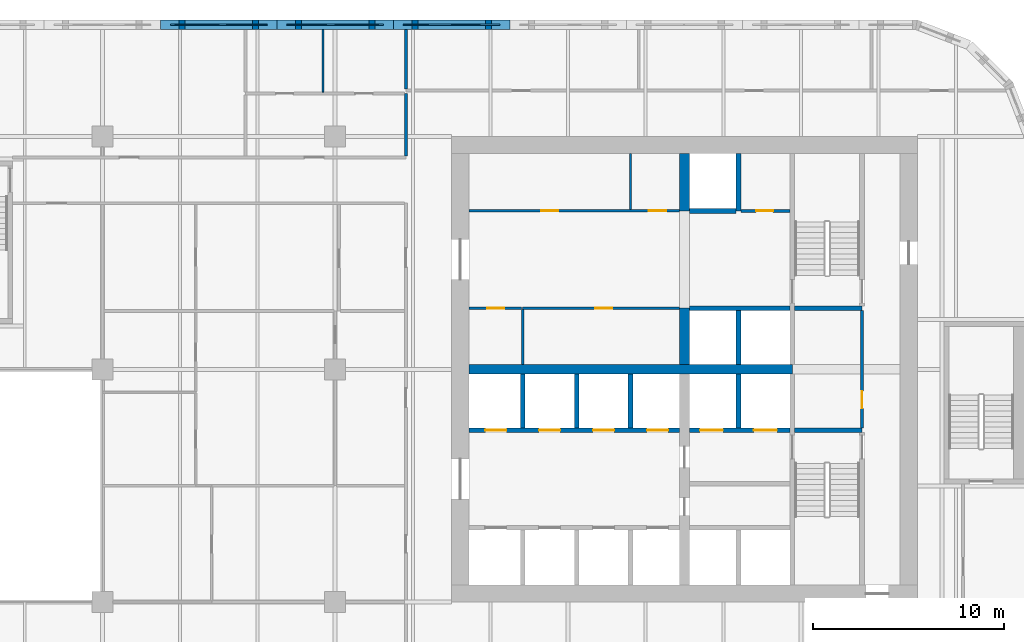
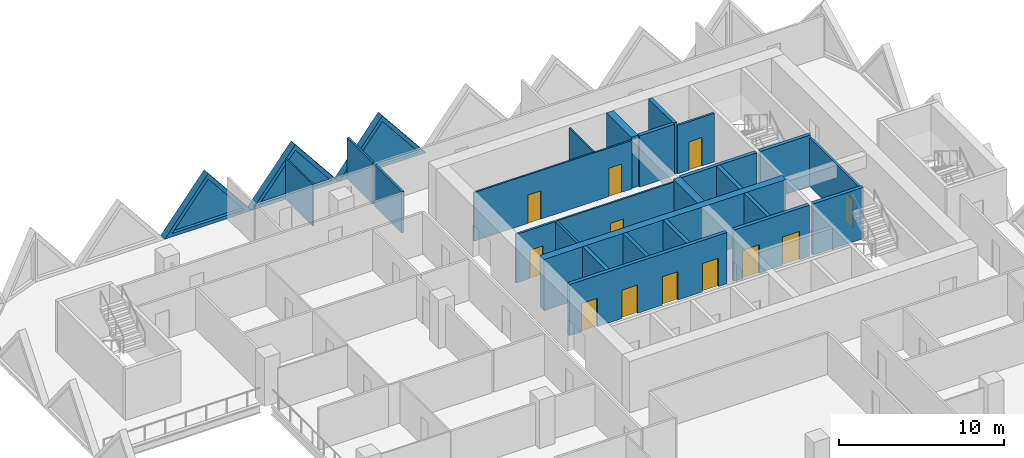
# One storey, part 9 of 19: 28 walls, 12 doors, 3 plates, 15 openings.
"""IFC4 building model written with IfcOpenShell, lengths in metres."""

import ifcopenshell
import ifcopenshell.guid

model = None  # the IFC model being written
_history = None  # IfcOwnerHistory: only IFC2X3 demands one
_inside = {}  # id of a spatial element -> (the spatial element, [elements in it])
_under = {}  # id of a project, library or spatial element -> (it, [spatial elements below it])
_declared = {}  # id of a project -> (the project, [libraries it declares])
_typed = {}  # id of a type object -> (the type object, [elements of that type])
_made_of = {}  # id of a material, layer set ... -> (it, [elements and type objects made of it])


def new_model(schema):
    """Start an empty IFC model of exactly this schema.

    Asked for "IFC4X3", IfcOpenShell would pick the latest addendum, in which some entities
    have other attributes; the version numbers below select the first issue.
    IFC2X3 requires an IfcOwnerHistory on every rooted entity: one is made here for all.
    """
    global model, _history
    if schema == "IFC4X3":
        model = ifcopenshell.file(schema_version=(4, 3, 0, 0))
    else:
        model = ifcopenshell.file(schema=schema)
    _inside.clear()
    _under.clear()
    _declared.clear()
    _typed.clear()
    _made_of.clear()
    _history = None
    if model.schema == "IFC2X3":
        org = make("IfcOrganization", Name="unknown")
        user = make(
            "IfcPersonAndOrganization",
            ThePerson=make("IfcPerson", FamilyName="unknown"),
            TheOrganization=org,
        )
        app = make(
            "IfcApplication",
            ApplicationDeveloper=org,
            Version="unknown",
            ApplicationFullName="unknown",
            ApplicationIdentifier="unknown",
        )
        _history = make(
            "IfcOwnerHistory",
            OwningUser=user,
            OwningApplication=app,
            ChangeAction="ADDED",
            CreationDate=0,
        )
    return model


def make(cls, **values):
    """One entity of the class cls with the attributes given. An attribute that is None is left unset."""
    return model.create_entity(
        cls, **{name: value for name, value in values.items() if value is not None}
    )


def rooted(cls, **values):
    """An entity with a GlobalId (a new one), such as an element, a storey or a relation."""
    return make(cls, GlobalId=ifcopenshell.guid.new(), OwnerHistory=_history, **values)


def si_unit(unit_type, name, prefix=None):
    """IfcSIUnit, for example si_unit("LENGTHUNIT", "METRE", prefix="MILLI")."""
    return make("IfcSIUnit", UnitType=unit_type, Prefix=prefix, Name=name)


def assignment(units):
    """IfcUnitAssignment: the units of a project."""
    return None if units is None else make("IfcUnitAssignment", Units=units)


def point(xyz):
    """IfcCartesianPoint."""
    return None if xyz is None else make("IfcCartesianPoint", Coordinates=xyz)


def direction(xyz):
    """IfcDirection."""
    return None if xyz is None else make("IfcDirection", DirectionRatios=xyz)


def frame(location, z_axis=None, x_axis=None):
    """IfcAxis2Placement3D, a coordinate frame: its origin and axes. An axis left out is left unset."""
    return make(
        "IfcAxis2Placement3D",
        Location=point(location),
        Axis=direction(z_axis),
        RefDirection=direction(x_axis),
    )


def frame_2d(location, x_axis=None):
    """IfcAxis2Placement2D, a coordinate frame in the plane: its origin and x axis."""
    return make(
        "IfcAxis2Placement2D", Location=point(location), RefDirection=direction(x_axis)
    )


def origin():
    """The frame at (0, 0, 0) with its axes left unset."""
    return frame((0.0, 0.0, 0.0))


def place(relative_to, where):
    """IfcLocalPlacement: puts the frame where relative to a parent placement (None: the world)."""
    return make(
        "IfcLocalPlacement", PlacementRelTo=relative_to, RelativePlacement=where
    )


def context(
    kind, dimensions, precision=None, world=None, true_north=None, identifier=None
):
    """IfcGeometricRepresentationContext, for example the 3D "Model" context."""
    return make(
        "IfcGeometricRepresentationContext",
        ContextIdentifier=identifier,
        ContextType=kind,
        CoordinateSpaceDimension=dimensions,
        Precision=precision,
        WorldCoordinateSystem=world,
        TrueNorth=true_north,
    )


def subcontext(parent, identifier, kind, view, scale=None):
    """IfcGeometricRepresentationSubContext, for example "Body" below "Model"."""
    return make(
        "IfcGeometricRepresentationSubContext",
        ContextIdentifier=identifier,
        ContextType=kind,
        ParentContext=parent,
        TargetScale=scale,
        TargetView=view,
    )


def project(units=None, contexts=None):
    """IfcProject with its units and contexts."""
    return rooted(
        "IfcProject",
        Name="project",
        RepresentationContexts=contexts,
        UnitsInContext=assignment(units),
    )


def spatial(cls, under=None, at=None, **own):
    """A site, building, storey or space (cls), placed at a placement, below another one or the project."""
    s = rooted(cls, ObjectPlacement=at, **own)
    if under is not None:
        _under.setdefault(under.id(), (under, []))[1].append(s)
    return s


def polyline(points):
    """IfcPolyline through the points."""
    return make("IfcPolyline", Points=[point(p) for p in points])


def profile(cls, at=None, kind="AREA", **sizes):
    """A parametric profile (cls). Its sizes go by their IFC names, for example OverallWidth=200.0."""
    return make(cls, ProfileType=kind, Position=at, **sizes)


def rectangle(**sizes):
    """IfcRectangleProfileDef."""
    return profile("IfcRectangleProfileDef", **sizes)


def outline(outer, holes=None, kind="AREA"):
    """IfcArbitraryClosedProfileDef: a profile drawn as a closed curve; with holes, ...WithVoids."""
    if holes is None:
        return make("IfcArbitraryClosedProfileDef", ProfileType=kind, OuterCurve=outer)
    return make(
        "IfcArbitraryProfileDefWithVoids",
        ProfileType=kind,
        OuterCurve=outer,
        InnerCurves=holes,
    )


def extrude(swept, where, along, depth):
    """IfcExtrudedAreaSolid: the profile swept, set in the frame where, extruded along a direction by depth."""
    return make(
        "IfcExtrudedAreaSolid",
        SweptArea=swept,
        Position=where,
        ExtrudedDirection=direction(along),
        Depth=depth,
    )


def faces_of(points, faces, orient=None, outer=None):
    """IfcFace entities. A face is a list of loops; a loop is a list of indices into points, from 0.

    orient and outer hold one flag for each loop. By default every Orientation is true, the
    first loop of a face is its IfcFaceOuterBound and the others are IfcFaceBound.
    """
    made = []
    for i, loops in enumerate(faces):
        bounds = []
        for j, loop in enumerate(loops):
            is_outer = j == 0 if outer is None else outer[i][j]
            bounds.append(
                make(
                    "IfcFaceOuterBound" if is_outer else "IfcFaceBound",
                    Bound=make("IfcPolyLoop", Polygon=[points[k] for k in loop]),
                    Orientation=True if orient is None else orient[i][j],
                )
            )
        made.append(make("IfcFace", Bounds=bounds))
    return made


def faceted_brep(points, faces, orient=None, outer=None, voids=None):
    """IfcFacetedBrep: a solid bounded by flat faces; with voids (closed shells), ...WithVoids."""
    shared = [point(p) for p in points]
    hull = make("IfcClosedShell", CfsFaces=faces_of(shared, faces, orient, outer))
    if voids is None:
        return make("IfcFacetedBrep", Outer=hull)
    return make(
        "IfcFacetedBrepWithVoids",
        Outer=hull,
        Voids=[
            make(cls, CfsFaces=faces_of(shared, fs, o, b)) for cls, fs, o, b in voids
        ],
    )


def shape(context_of_items, identifier, shape_type, items):
    """IfcShapeRepresentation: the items that make up one representation, for example the "Body"."""
    return make(
        "IfcShapeRepresentation",
        ContextOfItems=context_of_items,
        RepresentationIdentifier=identifier,
        RepresentationType=shape_type,
        Items=items,
    )


def source(mapping_origin, context_of_items, identifier, shape_type, items):
    """IfcRepresentationMap: a shape defined once, which mapped items show again and again."""
    return make(
        "IfcRepresentationMap",
        MappingOrigin=mapping_origin,
        MappedRepresentation=shape(context_of_items, identifier, shape_type, items),
    )


def transform(
    local_origin,
    x_axis=None,
    y_axis=None,
    z_axis=None,
    scale=None,
    scale2=None,
    scale3=None,
    uniform=True,
):
    """IfcCartesianTransformationOperator3D, or its non-uniform kind. x_axis, y_axis, z_axis: its Axis1, 2, 3."""
    if uniform:
        return make(
            "IfcCartesianTransformationOperator3D",
            Axis1=direction(x_axis),
            Axis2=direction(y_axis),
            LocalOrigin=point(local_origin),
            Scale=scale,
            Axis3=direction(z_axis),
        )
    return make(
        "IfcCartesianTransformationOperator3DnonUniform",
        Axis1=direction(x_axis),
        Axis2=direction(y_axis),
        LocalOrigin=point(local_origin),
        Scale=scale,
        Axis3=direction(z_axis),
        Scale2=scale2,
        Scale3=scale3,
    )


def mapped(mapping_source, mapping_target):
    """IfcMappedItem: shows the shape of a source again, moved by a transform."""
    return make(
        "IfcMappedItem", MappingSource=mapping_source, MappingTarget=mapping_target
    )


def material(Name=None, Category=None):
    """IfcMaterial."""
    return make("IfcMaterial", Name=Name, Category=Category)


def layer(
    of_material, thickness, ventilated=None, Name=None, Category=None, Priority=None
):
    """IfcMaterialLayer: one layer of a wall or slab, of a material (None: an air gap)."""
    return make(
        "IfcMaterialLayer",
        Material=of_material,
        LayerThickness=thickness,
        IsVentilated=ventilated,
        Name=Name,
        Category=Category,
        Priority=Priority,
    )


def layer_set(layers, Name=None):
    """IfcMaterialLayerSet."""
    return make("IfcMaterialLayerSet", MaterialLayers=layers, LayerSetName=Name)


def made_of(thing, what):
    """Note that an element or type object is made of a material, layer set ...; save() writes the relation."""
    if what is not None:
        _made_of.setdefault(what.id(), (what, []))[1].append(thing)
    return thing


def type_object(cls, material=None, **own):
    """A type object (cls), such as IfcWallType, which elements share."""
    return made_of(rooted(cls, **own), material)


def element(
    cls,
    number,
    at=None,
    inside=None,
    cuts=None,
    type_object=None,
    material=None,
    context=None,
    identifier="Body",
    shape_type=None,
    held_by="IfcProductDefinitionShape",
    body=None,
    shapes=None,
    **own,
):
    """One element of the class cls, such as IfcWall. Its Tag is "e" and its number.

    at: its placement. inside: the storey or other place that contains it. cuts: it is an
    opening in that element (IfcRelVoidsElement). A single representation is given by context,
    identifier, shape_type and body (its items); several are given by shapes. held_by: the class
    of the entity that holds the representations. save() writes the other relations.
    """
    e = rooted(cls, Tag="e%d" % number, ObjectPlacement=at, **own)
    if body is not None:
        shapes = [shape(context, identifier, shape_type, body)]
    if shapes is not None:
        e.Representation = make(held_by, Representations=shapes)
    if inside is not None:
        _inside.setdefault(inside.id(), (inside, []))[1].append(e)
    if cuts is not None:
        rooted(
            "IfcRelVoidsElement", RelatingBuildingElement=cuts, RelatedOpeningElement=e
        )
    if type_object is not None:
        _typed.setdefault(type_object.id(), (type_object, []))[1].append(e)
    return made_of(e, material)


def fill(opening, filler):
    """IfcRelFillsElement: the door or window that sits in an opening."""
    return rooted(
        "IfcRelFillsElement",
        RelatingOpeningElement=opening,
        RelatedBuildingElement=filler,
    )


def aggregate(whole, parts):
    """IfcRelAggregates: a whole, such as a stair, and the parts it consists of."""
    return rooted("IfcRelAggregates", RelatingObject=whole, RelatedObjects=parts)


def save(model, path):
    """Write the relations noted so far, then the file.

    IfcRelAggregates (storeys below a building ...), IfcRelContainedInSpatialStructure (elements
    in a storey), IfcRelDefinesByType, IfcRelAssociatesMaterial and IfcRelDeclares: one each for
    every whole, place, type object, material and project.
    """
    for whole, parts in _under.values():
        aggregate(whole, parts)
    for where, things in _inside.values():
        rooted(
            "IfcRelContainedInSpatialStructure",
            RelatedElements=things,
            RelatingStructure=where,
        )
    for kind, things in _typed.values():
        rooted("IfcRelDefinesByType", RelatedObjects=things, RelatingType=kind)
    for what, things in _made_of.values():
        rooted("IfcRelAssociatesMaterial", RelatedObjects=things, RelatingMaterial=what)
    for by, libraries in _declared.values():
        rooted("IfcRelDeclares", RelatingContext=by, RelatedDefinitions=libraries)
    model.write(path)


model = new_model("IFC4")

# Units and contexts
model_context = context("Model", 3, precision=1e-05, world=origin(), true_north=direction((0.0, 1.0)))
body_context = subcontext(model_context, "Body", "Model", "MODEL_VIEW")
ifc_project = project(units=[si_unit("LENGTHUNIT", "METRE"), si_unit("AREAUNIT", "SQUARE_METRE"), si_unit("VOLUMEUNIT", "CUBIC_METRE"), si_unit("PLANEANGLEUNIT", "RADIAN"), si_unit("MASSUNIT", "GRAM", prefix="KILO")], contexts=[model_context])

# Site, building, storey
site_placement = place(None, origin())
site = spatial("IfcSite", under=ifc_project, at=site_placement, CompositionType="ELEMENT")
building_placement = place(site_placement, origin())
building = spatial("IfcBuilding", under=site, at=building_placement, Name="Tessera Gate Towers", CompositionType="ELEMENT")
storey_placement = place(building_placement, frame((0.0, 0.0, 25.800048828125)))
storey = spatial("IfcBuildingStorey", under=building, at=storey_placement, Name="L05", CompositionType="ELEMENT", Elevation=25.800048828125)

# Wall, openings, doors
ifc_material_1 = material(Name="Concrete C40/50", Category="concrete")
ifc_layer_1 = layer(ifc_material_1, 0.25)
ifc_layer_set_1 = layer_set([ifc_layer_1], Name="CORE ENCLOSURE WALL 250")
wall_type_1 = type_object("IfcWallType", Name="CORE ENCLOSURE WALL 250", PredefinedType="SOLIDWALL", material=ifc_layer_set_1)
wall_1_placement = place(storey_placement, frame((42.449951171875, 33.39990234375, 0.0), z_axis=(0.0, 0.0, 1.0), x_axis=(-1.0, 0.0, 0.0)))
wall_1 = element("IfcWall", 1, at=wall_1_placement, inside=storey, type_object=wall_type_1, Name="L05 shaft and stair enclosure wall", PredefinedType="SOLIDWALL", context=body_context, shape_type="SweptSolid", body=[
    extrude(rectangle(XDim=11.050048828125, YDim=0.25, at=frame_2d((5.52490234375, 0.0))), origin(), (0.0, 0.0, 1.0), 3.800048828125),
])
shared_shape_1 = source(origin(), body_context, "Body", "SweptSolid", [
    extrude(rectangle(XDim=1.10009765625, YDim=2.10009765625, at=frame_2d((0.550048828125, 1.050048828125))), frame((0.0, 0.135009765625, 0.0), z_axis=(0.0, -1.0, 0.0), x_axis=(1.0, 0.0, 0.0)), (0.0, 0.0, 1.0), 0.27001953125),
])
opening_1_placement = place(wall_1_placement, frame((9.08740234375, 0.0, 0.0)))
opening_1 = element("IfcOpeningElement", 2, at=opening_1_placement, cuts=wall_1, Name="Opening LD-LR5", PredefinedType="OPENING", context=body_context, shape_type="MappedRepresentation", body=[
    mapped(shared_shape_1, transform((0.0, 0.0, 0.0), scale=1.0)),
])
opening_2_placement = place(wall_1_placement, frame((6.262451171875, 0.0, 0.0)))
opening_2 = element("IfcOpeningElement", 3, at=opening_2_placement, cuts=wall_1, Name="Opening LD-LR6", PredefinedType="OPENING", context=body_context, shape_type="MappedRepresentation", body=[
    mapped(shared_shape_1, transform((0.0, 0.0, 0.0), scale=1.0)),
])
opening_3_placement = place(wall_1_placement, frame((3.4375, 0.0, 0.0)))
opening_3 = element("IfcOpeningElement", 4, at=opening_3_placement, cuts=wall_1, Name="Opening LD-LR7", PredefinedType="OPENING", context=body_context, shape_type="MappedRepresentation", body=[
    mapped(shared_shape_1, transform((0.0, 0.0, 0.0), scale=1.0)),
])
opening_4_placement = place(wall_1_placement, frame((0.612548828125, 0.0, 0.0)))
opening_4 = element("IfcOpeningElement", 5, at=opening_4_placement, cuts=wall_1, Name="Opening LD-LR8", PredefinedType="OPENING", context=body_context, shape_type="MappedRepresentation", body=[
    mapped(shared_shape_1, transform((0.0, 0.0, 0.0), scale=1.0)),
])
ifc_material_2 = material(Name="Stainless steel", Category="steel")
door_type_1 = type_object("IfcDoorType", Name="CORE DOOR LD 1100x2100", OperationType="DOUBLE_DOOR_SLIDING", PredefinedType="DOOR", material=ifc_material_2)
shared_shape_2 = source(origin(), body_context, "Body", "SweptSolid", [
    extrude(rectangle(XDim=1.10009765625, YDim=2.10009765625, at=frame_2d((0.550048828125, 1.050048828125))), frame((0.0, 0.02490234375, 0.0), z_axis=(0.0, -1.0, 0.0), x_axis=(1.0, 0.0, 0.0)), (0.0, 0.0, 1.0), 0.050048828125),
])
door_1_placement = place(opening_1_placement, origin())
door_1 = element("IfcDoor", 6, at=door_1_placement, inside=storey, type_object=door_type_1, Name="Landing door LR5 L05", OperationType="DOUBLE_DOOR_SLIDING", OverallHeight=2.10009765625, OverallWidth=1.10009765625, PredefinedType="DOOR", context=body_context, shape_type="MappedRepresentation", body=[
    mapped(shared_shape_2, transform((0.0, 0.0, 0.0), scale=1.0)),
])
fill(opening_1, door_1)
door_2_placement = place(opening_2_placement, origin())
door_2 = element("IfcDoor", 7, at=door_2_placement, inside=storey, type_object=door_type_1, Name="Landing door LR6 L05", OperationType="DOUBLE_DOOR_SLIDING", OverallHeight=2.10009765625, OverallWidth=1.10009765625, PredefinedType="DOOR", context=body_context, shape_type="MappedRepresentation", body=[
    mapped(shared_shape_2, transform((0.0, 0.0, 0.0), scale=1.0)),
])
fill(opening_2, door_2)
door_3_placement = place(opening_3_placement, origin())
door_3 = element("IfcDoor", 8, at=door_3_placement, inside=storey, type_object=door_type_1, Name="Landing door LR7 L05", OperationType="DOUBLE_DOOR_SLIDING", OverallHeight=2.10009765625, OverallWidth=1.10009765625, PredefinedType="DOOR", context=body_context, shape_type="MappedRepresentation", body=[
    mapped(shared_shape_2, transform((0.0, 0.0, 0.0), scale=1.0)),
])
fill(opening_3, door_3)
door_4_placement = place(opening_4_placement, origin())
door_4 = element("IfcDoor", 9, at=door_4_placement, inside=storey, type_object=door_type_1, Name="Landing door LR8 L05", OperationType="DOUBLE_DOOR_SLIDING", OverallHeight=2.10009765625, OverallWidth=1.10009765625, PredefinedType="DOOR", context=body_context, shape_type="MappedRepresentation", body=[
    mapped(shared_shape_2, transform((0.0, 0.0, 0.0), scale=1.0)),
])
fill(opening_4, door_4)

wall_2_placement = place(storey_placement, frame((48.22509765625, 33.39990234375, 0.0), z_axis=(0.0, 0.0, 1.0), x_axis=(-1.0, 0.0, 0.0)))
wall_2 = element("IfcWall", 10, at=wall_2_placement, inside=storey, type_object=wall_type_1, Name="L05 shaft and stair enclosure wall", PredefinedType="SOLIDWALL", context=body_context, shape_type="SweptSolid", body=[
    extrude(rectangle(XDim=5.275146484375, YDim=0.25, at=frame_2d((2.6376953125, 0.0))), origin(), (0.0, 0.0, 1.0), 3.800048828125),
])
shared_shape_3 = source(origin(), body_context, "Body", "SweptSolid", [
    extrude(rectangle(XDim=1.199951171875, YDim=2.10009765625, at=frame_2d((0.60009765625, 1.050048828125))), frame((0.0, 0.135009765625, 0.0), z_axis=(0.0, -1.0, 0.0), x_axis=(1.0, 0.0, 0.0)), (0.0, 0.0, 1.0), 0.27001953125),
])
opening_5_placement = place(wall_2_placement, frame((3.512451171875, 0.0, 0.0)))
opening_5 = element("IfcOpeningElement", 11, at=opening_5_placement, cuts=wall_2, Name="Opening LD-FF1", PredefinedType="OPENING", context=body_context, shape_type="MappedRepresentation", body=[
    mapped(shared_shape_3, transform((0.0, 0.0, 0.0), scale=1.0)),
])
opening_6_placement = place(wall_2_placement, frame((0.6875, 0.0, 0.0)))
opening_6 = element("IfcOpeningElement", 12, at=opening_6_placement, cuts=wall_2, Name="Opening LD-FF2", PredefinedType="OPENING", context=body_context, shape_type="MappedRepresentation", body=[
    mapped(shared_shape_3, transform((0.0, 0.0, 0.0), scale=1.0)),
])
ifc_material_3 = material(Name="Stainless steel", Category="steel")
door_type_2 = type_object("IfcDoorType", Name="CORE DOOR LD1200 1200x2100", OperationType="DOUBLE_DOOR_SLIDING", PredefinedType="DOOR", material=ifc_material_3)
shared_shape_4 = source(origin(), body_context, "Body", "SweptSolid", [
    extrude(rectangle(XDim=1.199951171875, YDim=2.10009765625, at=frame_2d((0.60009765625, 1.050048828125))), frame((0.0, 0.02490234375, 0.0), z_axis=(0.0, -1.0, 0.0), x_axis=(1.0, 0.0, 0.0)), (0.0, 0.0, 1.0), 0.050048828125),
])
door_5_placement = place(opening_5_placement, origin())
door_5 = element("IfcDoor", 13, at=door_5_placement, inside=storey, type_object=door_type_2, Name="Landing door FF1 L05", OperationType="DOUBLE_DOOR_SLIDING", OverallHeight=2.10009765625, OverallWidth=1.199951171875, PredefinedType="DOOR", context=body_context, shape_type="MappedRepresentation", body=[
    mapped(shared_shape_4, transform((0.0, 0.0, 0.0), scale=1.0)),
])
fill(opening_5, door_5)
door_6_placement = place(opening_6_placement, origin())
door_6 = element("IfcDoor", 14, at=door_6_placement, inside=storey, type_object=door_type_2, Name="Landing door FF2 L05", OperationType="DOUBLE_DOOR_SLIDING", OverallHeight=2.10009765625, OverallWidth=1.199951171875, PredefinedType="DOOR", context=body_context, shape_type="MappedRepresentation", body=[
    mapped(shared_shape_4, transform((0.0, 0.0, 0.0), scale=1.0)),
])
fill(opening_6, door_6)

# Walls
wall_3_placement = place(storey_placement, frame((48.47509765625, 33.39990234375, 0.0), z_axis=(0.0, 0.0, 1.0), x_axis=(1.0, 0.0, 0.0)))
element("IfcWall", 15, at=wall_3_placement, inside=storey, type_object=wall_type_1, Name="L05 shaft and stair enclosure wall", PredefinedType="SOLIDWALL", context=body_context, shape_type="SweptSolid", body=[
    extrude(rectangle(XDim=3.52490234375, YDim=0.25, at=frame_2d((1.762451171875, 0.0))), origin(), (0.0, 0.0, 1.0), 3.800048828125),
])
wall_4_placement = place(storey_placement, frame((42.949951171875, 39.800048828125, 0.0), z_axis=(0.0, 0.0, 1.0), x_axis=(1.0, 0.0, 0.0)))
element("IfcWall", 16, at=wall_4_placement, inside=storey, type_object=wall_type_1, Name="L05 shaft and stair enclosure wall", PredefinedType="SOLIDWALL", context=body_context, shape_type="SweptSolid", body=[
    extrude(rectangle(XDim=5.275146484375, YDim=0.25, at=frame_2d((2.6376953125, 0.0))), origin(), (0.0, 0.0, 1.0), 3.800048828125),
])
wall_5_placement = place(storey_placement, frame((48.47509765625, 39.800048828125, 0.0), z_axis=(0.0, 0.0, 1.0), x_axis=(1.0, 0.0, 0.0)))
element("IfcWall", 17, at=wall_5_placement, inside=storey, type_object=wall_type_1, Name="L05 shaft and stair enclosure wall", PredefinedType="SOLIDWALL", context=body_context, shape_type="SweptSolid", body=[
    extrude(rectangle(XDim=3.52490234375, YDim=0.25, at=frame_2d((1.762451171875, 0.0))), origin(), (0.0, 0.0, 1.0), 3.800048828125),
])
wall_6_placement = place(storey_placement, frame((45.52490234375, 33.52490234375, 0.0), z_axis=(0.0, 0.0, 1.0), x_axis=(0.0, 1.0, 0.0)))
element("IfcWall", 18, at=wall_6_placement, inside=storey, type_object=wall_type_1, Name="L05 shaft and stair enclosure wall", PredefinedType="SOLIDWALL", context=body_context, shape_type="SweptSolid", body=[
    extrude(rectangle(XDim=2.8251953125, YDim=0.25, at=frame_2d((1.41259765625, 0.0))), origin(), (0.0, 0.0, 1.0), 3.800048828125),
])
wall_7_placement = place(storey_placement, frame((45.52490234375, 36.85009765625, 0.0), z_axis=(0.0, 0.0, 1.0), x_axis=(0.0, 1.0, 0.0)))
element("IfcWall", 19, at=wall_7_placement, inside=storey, type_object=wall_type_1, Name="L05 shaft and stair enclosure wall", PredefinedType="SOLIDWALL", context=body_context, shape_type="SweptSolid", body=[
    extrude(rectangle(XDim=2.824951171875, YDim=0.25, at=frame_2d((1.41259765625, 0.0))), origin(), (0.0, 0.0, 1.0), 3.800048828125),
])
for number, where, z_axis, x_axis, name in (
    (20, (34.22509765625, 33.52490234375, 0.0), (0.0, 0.0, 1.0), (0.0, 1.0, 0.0), "L05 shaft and stair enclosure wall"),
    (21, (37.050048828125, 33.52490234375, 0.0), (0.0, 0.0, 1.0), (0.0, 1.0, 0.0), "L05 shaft and stair enclosure wall"),
    (22, (39.875, 33.52490234375, 0.0), (0.0, 0.0, 1.0), (0.0, 1.0, 0.0), "L05 shaft and stair enclosure wall"),
):
    element("IfcWall", number, at=place(storey_placement, frame(where, z_axis=z_axis, x_axis=x_axis)), inside=storey, type_object=wall_type_1, Name=name, PredefinedType="SOLIDWALL", context=body_context, shape_type="SweptSolid", body=[
        extrude(rectangle(XDim=2.8251953125, YDim=0.25, at=frame_2d((1.41259765625, 0.0))), origin(), (0.0, 0.0, 1.0), 3.800048828125),
    ])
wall_8_placement = place(storey_placement, frame((45.52490234375, 44.89990234375, 0.0), z_axis=(0.0, 0.0, 1.0), x_axis=(0.0, 1.0, 0.0)))
element("IfcWall", 23, at=wall_8_placement, inside=storey, type_object=wall_type_1, Name="L05 shaft and stair enclosure wall", PredefinedType="SOLIDWALL", context=body_context, shape_type="SweptSolid", body=[
    extrude(rectangle(XDim=3.0, YDim=0.25, at=frame_2d((1.5, 0.0))), origin(), (0.0, 0.0, 1.0), 3.800048828125),
])
wall_9_placement = place(storey_placement, frame((42.949951171875, 44.89990234375, 0.0), z_axis=(0.0, 0.0, 1.0), x_axis=(1.0, 0.0, 0.0)))
element("IfcWall", 24, at=wall_9_placement, inside=storey, type_object=wall_type_1, Name="L05 shaft and stair enclosure wall", PredefinedType="SOLIDWALL", context=body_context, shape_type="SweptSolid", body=[
    extrude(rectangle(XDim=2.449951171875, YDim=0.25, at=frame_2d((1.22509765625, 0.0))), origin(), (0.0, 0.0, 1.0), 3.800048828125),
])

# Wall, openings, doors
ifc_material_4 = material(Name="Gypsum board on steel studs", Category="steel")
ifc_layer_2 = layer(ifc_material_4, 0.1201171875)
ifc_layer_set_2 = layer_set([ifc_layer_2], Name="CORE PARTITION 120")
wall_type_2 = type_object("IfcWallType", Name="CORE PARTITION 120", PredefinedType="PARTITIONING", material=ifc_layer_set_2)
wall_10_placement = place(storey_placement, frame((31.39990234375, 44.89990234375, 0.0), z_axis=(0.0, 0.0, 1.0), x_axis=(1.0, 0.0, 0.0)))
wall_10 = element("IfcWall", 25, at=wall_10_placement, inside=storey, type_object=wall_type_2, Name="L05 core partition", PredefinedType="PARTITIONING", context=body_context, shape_type="SweptSolid", body=[
    extrude(rectangle(XDim=11.050048828125, YDim=0.1201171875, at=frame_2d((5.52490234375, 0.0))), origin(), (0.0, 0.0, 1.0), 3.599853515625),
])
shared_shape_5 = source(origin(), body_context, "Body", "SweptSolid", [
    extrude(rectangle(XDim=0.89990234375, YDim=2.10009765625, at=frame_2d((0.449951171875, 1.050048828125))), frame((0.0, 0.070068359375, 0.0), z_axis=(0.0, -1.0, 0.0), x_axis=(1.0, 0.0, 0.0)), (0.0, 0.0, 1.0), 0.14013671875),
])
opening_7_placement = place(wall_10_placement, frame((3.78759765625, 0.0, 0.0)))
opening_7 = element("IfcOpeningElement", 26, at=opening_7_placement, cuts=wall_10, Name="Opening RD-T1-06-07", PredefinedType="OPENING", context=body_context, shape_type="MappedRepresentation", body=[
    mapped(shared_shape_5, transform((0.0, 0.0, 0.0), scale=1.0)),
])
opening_8_placement = place(wall_10_placement, frame((9.4375, 0.0, 0.0)))
opening_8 = element("IfcOpeningElement", 27, at=opening_8_placement, cuts=wall_10, Name="Opening RD-T1-06-08", PredefinedType="OPENING", context=body_context, shape_type="MappedRepresentation", body=[
    mapped(shared_shape_5, transform((0.0, 0.0, 0.0), scale=1.0)),
])
ifc_material_5 = material(Name="Hollow steel fire door", Category="steel")
door_type_3 = type_object("IfcDoorType", Name="CORE DOOR RD 900x2100", OperationType="NOTDEFINED", PredefinedType="DOOR", material=ifc_material_5)
shared_shape_6 = source(origin(), body_context, "Body", "SweptSolid", [
    extrude(rectangle(XDim=0.89990234375, YDim=2.10009765625, at=frame_2d((0.449951171875, 1.050048828125))), frame((0.0, 0.02490234375, 0.0), z_axis=(0.0, -1.0, 0.0), x_axis=(1.0, 0.0, 0.0)), (0.0, 0.0, 1.0), 0.050048828125),
])
door_7_placement = place(opening_7_placement, origin())
door_7 = element("IfcDoor", 28, at=door_7_placement, inside=storey, type_object=door_type_3, Name="Core room door", OperationType="SINGLE_SWING_LEFT", OverallHeight=2.10009765625, OverallWidth=0.89990234375, PredefinedType="DOOR", context=body_context, shape_type="MappedRepresentation", body=[
    mapped(shared_shape_6, transform((0.0, 0.0, 0.0), scale=1.0)),
])
fill(opening_7, door_7)
door_8_placement = place(opening_8_placement, origin())
door_8 = element("IfcDoor", 29, at=door_8_placement, inside=storey, type_object=door_type_3, Name="Core room door", OperationType="SINGLE_SWING_RIGHT", OverallHeight=2.10009765625, OverallWidth=0.89990234375, PredefinedType="DOOR", context=body_context, shape_type="MappedRepresentation", body=[
    mapped(shared_shape_6, transform((0.0, 0.0, 0.0), scale=1.0)),
])
fill(opening_8, door_8)

# Wall, opening, door
wall_11_placement = place(storey_placement, frame((42.449951171875, 39.800048828125, 0.0), z_axis=(0.0, 0.0, 1.0), x_axis=(-1.0, 0.0, 0.0)))
wall_11 = element("IfcWall", 30, at=wall_11_placement, inside=storey, type_object=wall_type_2, Name="L05 core partition", PredefinedType="PARTITIONING", context=body_context, shape_type="SweptSolid", body=[
    extrude(rectangle(XDim=8.224853515625, YDim=0.1201171875, at=frame_2d((4.1123046875, 0.0))), origin(), (0.0, 0.0, 1.0), 3.599853515625),
])
opening_9_placement = place(wall_11_placement, frame((3.53759765625, 0.0, 0.0)))
opening_9 = element("IfcOpeningElement", 31, at=opening_9_placement, cuts=wall_11, Name="Opening RD-T1-06-09", PredefinedType="OPENING", context=body_context, shape_type="MappedRepresentation", body=[
    mapped(shared_shape_5, transform((0.0, 0.0, 0.0), scale=1.0)),
])
door_9_placement = place(opening_9_placement, origin())
door_9 = element("IfcDoor", 32, at=door_9_placement, inside=storey, type_object=door_type_3, Name="Core room door", OperationType="SINGLE_SWING_LEFT", OverallHeight=2.10009765625, OverallWidth=0.89990234375, PredefinedType="DOOR", context=body_context, shape_type="MappedRepresentation", body=[
    mapped(shared_shape_6, transform((0.0, 0.0, 0.0), scale=1.0)),
])
fill(opening_9, door_9)

# Walls
wall_12_placement = place(storey_placement, frame((39.875, 44.9599609375, 0.0), z_axis=(0.0, 0.0, 1.0), x_axis=(0.0, 1.0, 0.0)))
element("IfcWall", 33, at=wall_12_placement, inside=storey, type_object=wall_type_2, Name="L05 core partition", PredefinedType="PARTITIONING", context=body_context, shape_type="SweptSolid", body=[
    extrude(rectangle(XDim=2.93994140625, YDim=0.1201171875, at=frame_2d((1.469970703125, 0.0))), origin(), (0.0, 0.0, 1.0), 3.599853515625),
])
ifc_material_6 = material(Name="Concrete C70/85", Category="concrete")
ifc_layer_3 = layer(ifc_material_6, 0.5)
ifc_layer_set_3 = layer_set([ifc_layer_3], Name="CORE SPINE WALL 500 C70/85")
wall_type_3 = type_object("IfcWallType", Name="CORE SPINE WALL 500 C70/85", PredefinedType="SHEAR", material=ifc_layer_set_3)
wall_13_placement = place(storey_placement, frame((31.39990234375, 36.60009765625, 0.0), z_axis=(0.0, 0.0, 1.0), x_axis=(1.0, 0.0, 0.0)))
element("IfcWall", 34, at=wall_13_placement, inside=storey, type_object=wall_type_3, Name="Core wall spine L05", PredefinedType="SHEAR", context=body_context, shape_type="SweptSolid", body=[
    extrude(rectangle(XDim=16.9501953125, YDim=0.5, at=frame_2d((8.47509765625, 0.0))), origin(), (0.0, 0.0, 1.0), 3.800048828125),
])
wall_14_placement = place(storey_placement, frame((42.699951171875, 36.85009765625, 0.0), z_axis=(0.0, 0.0, 1.0), x_axis=(0.0, 1.0, 0.0)))
element("IfcWall", 35, at=wall_14_placement, inside=storey, type_object=wall_type_3, Name="Core wall spine L05", PredefinedType="SHEAR", context=body_context, shape_type="SweptSolid", body=[
    extrude(rectangle(XDim=2.949951171875, YDim=0.5, at=frame_2d((1.47509765625, 0.0))), origin(), (0.0, 0.0, 1.0), 3.800048828125),
])
wall_15_placement = place(storey_placement, frame((42.699951171875, 44.89990234375, 0.0), z_axis=(0.0, 0.0, 1.0), x_axis=(0.0, 1.0, 0.0)))
element("IfcWall", 36, at=wall_15_placement, inside=storey, type_object=wall_type_3, Name="Core wall spine L05", PredefinedType="SHEAR", context=body_context, shape_type="SweptSolid", body=[
    extrude(rectangle(XDim=3.0, YDim=0.5, at=frame_2d((1.5, 0.0))), origin(), (0.0, 0.0, 1.0), 3.800048828125),
])
ifc_material_7 = material(Name="Gypsum board on steel studs, mineral wool", Category="steel")
ifc_layer_4 = layer(ifc_material_7, 0.14990234375)
ifc_layer_set_4 = layer_set([ifc_layer_4], Name="CORRIDOR WALL 150")
wall_type_4 = type_object("IfcWallType", Name="CORRIDOR WALL 150", PredefinedType="PARTITIONING", material=ifc_layer_set_4)
wall_16_placement = place(storey_placement, frame((28.10009765625, 47.77587890625, 0.0), z_axis=(0.0, 0.0, 1.0), x_axis=(0.0, 1.0, 0.0)))
element("IfcWall", 37, at=wall_16_placement, inside=storey, type_object=wall_type_4, Name="T1-L05-PW-049", PredefinedType="PARTITIONING", context=body_context, shape_type="SweptSolid", body=[
    extrude(rectangle(XDim=3.274169921875, YDim=0.14990234375, at=frame_2d((1.63720703125, 0.0))), origin(), (0.0, 0.0, 1.0), 3.06689453125),
])
ifc_material_8 = material(Name="Gypsum board on steel studs", Category="steel")
ifc_layer_5 = layer(ifc_material_8, 0.10009765625)
ifc_layer_set_5 = layer_set([ifc_layer_5], Name="PARTITION 100")
wall_type_5 = type_object("IfcWallType", Name="PARTITION 100", PredefinedType="PARTITIONING", material=ifc_layer_set_5)
wall_17_placement = place(storey_placement, frame((23.758056640625, 51.1259765625, 0.0), z_axis=(0.0, 0.0, 1.0), x_axis=(0.0, 1.0, 0.0)))
element("IfcWall", 38, at=wall_17_placement, inside=storey, type_object=wall_type_5, Name="T1-L05-PW-053", PredefinedType="PARTITIONING", context=body_context, shape_type="SweptSolid", body=[
    extrude(rectangle(XDim=3.27392578125, YDim=0.10009765625, at=frame_2d((1.636962890625, 0.0))), origin(), (0.0, 0.0, 1.0), 3.06689453125),
])

# Wall, opening, door
ifc_material_9 = material(Name="Gypsum board on steel studs", Category="steel")
ifc_layer_6 = layer(ifc_material_9, 0.14990234375)
ifc_layer_set_6 = layer_set([ifc_layer_6], Name="SERVICE ROOM WALL 150")
wall_type_6 = type_object("IfcWallType", Name="SERVICE ROOM WALL 150", PredefinedType="PARTITIONING", material=ifc_layer_set_6)
wall_18_placement = place(storey_placement, frame((52.0, 33.52490234375, 0.0), z_axis=(0.0, 0.0, 1.0), x_axis=(0.0, 1.0, 0.0)))
wall_18 = element("IfcWall", 39, at=wall_18_placement, inside=storey, type_object=wall_type_6, Name="L05 service room wall", PredefinedType="PARTITIONING", context=body_context, shape_type="SweptSolid", body=[
    extrude(rectangle(XDim=6.150146484375, YDim=0.14990234375, at=frame_2d((3.0751953125, 0.0))), origin(), (0.0, 0.0, 1.0), 3.599853515625),
])
shared_shape_7 = source(origin(), body_context, "Body", "SweptSolid", [
    extrude(rectangle(XDim=0.89990234375, YDim=2.10009765625, at=frame_2d((0.449951171875, 1.050048828125))), frame((0.0, 0.0849609375, 0.0), z_axis=(0.0, -1.0, 0.0), x_axis=(1.0, 0.0, 0.0)), (0.0, 0.0, 1.0), 0.169921875),
])
opening_10_placement = place(wall_18_placement, frame((1.02490234375, 0.0, 0.0)))
opening_10 = element("IfcOpeningElement", 40, at=opening_10_placement, cuts=wall_18, Name="Opening RD-T1-06-10", PredefinedType="OPENING", context=body_context, shape_type="MappedRepresentation", body=[
    mapped(shared_shape_7, transform((0.0, 0.0, 0.0), scale=1.0)),
])
door_10_placement = place(opening_10_placement, origin())
door_10 = element("IfcDoor", 41, at=door_10_placement, inside=storey, type_object=door_type_3, Name="Core room door", OperationType="SINGLE_SWING_LEFT", OverallHeight=2.10009765625, OverallWidth=0.89990234375, PredefinedType="DOOR", context=body_context, shape_type="MappedRepresentation", body=[
    mapped(shared_shape_6, transform((0.0, 0.0, 0.0), scale=1.0)),
])
fill(opening_10, door_10)

# Wall
wall_19_placement = place(storey_placement, frame((34.22509765625, 36.85009765625, 0.0), z_axis=(0.0, 0.0, 1.0), x_axis=(0.0, 1.0, 0.0)))
element("IfcWall", 42, at=wall_19_placement, inside=storey, type_object=wall_type_6, Name="L05 service room wall", PredefinedType="PARTITIONING", context=body_context, shape_type="SweptSolid", body=[
    extrude(rectangle(XDim=2.889892578125, YDim=0.14990234375, at=frame_2d((1.44482421875, 0.0))), origin(), (0.0, 0.0, 1.0), 3.599853515625),
])

# Wall, opening, door
wall_20_placement = place(storey_placement, frame((45.64990234375, 44.89990234375, 0.0), z_axis=(0.0, 0.0, 1.0), x_axis=(1.0, 0.0, 0.0)))
wall_20 = element("IfcWall", 43, at=wall_20_placement, inside=storey, type_object=wall_type_6, Name="L05 service room wall", PredefinedType="PARTITIONING", context=body_context, shape_type="SweptSolid", body=[
    extrude(rectangle(XDim=2.5751953125, YDim=0.14990234375, at=frame_2d((1.28759765625, 0.0))), origin(), (0.0, 0.0, 1.0), 3.599853515625),
])
opening_11_placement = place(wall_20_placement, frame((0.800048828125, 0.0, 0.0)))
opening_11 = element("IfcOpeningElement", 44, at=opening_11_placement, cuts=wall_20, Name="Opening RD-T1-06-11", PredefinedType="OPENING", context=body_context, shape_type="MappedRepresentation", body=[
    mapped(shared_shape_7, transform((0.0, 0.0, 0.0), scale=1.0)),
])
door_11_placement = place(opening_11_placement, origin())
door_11 = element("IfcDoor", 45, at=door_11_placement, inside=storey, type_object=door_type_3, Name="Core room door", OperationType="SINGLE_SWING_LEFT", OverallHeight=2.10009765625, OverallWidth=0.89990234375, PredefinedType="DOOR", context=body_context, shape_type="MappedRepresentation", body=[
    mapped(shared_shape_6, transform((0.0, 0.0, 0.0), scale=1.0)),
])
fill(opening_11, door_11)

wall_21_placement = place(storey_placement, frame((34.14990234375, 39.800048828125, 0.0), z_axis=(0.0, 0.0, 1.0), x_axis=(-1.0, 0.0, 0.0)))
wall_21 = element("IfcWall", 46, at=wall_21_placement, inside=storey, type_object=wall_type_6, Name="L05 service room wall", PredefinedType="PARTITIONING", context=body_context, shape_type="SweptSolid", body=[
    extrude(rectangle(XDim=2.75, YDim=0.14990234375, at=frame_2d((1.375, 0.0))), origin(), (0.0, 0.0, 1.0), 3.599853515625),
])
opening_12_placement = place(wall_21_placement, frame((0.887451171875, 0.0, 0.0)))
opening_12 = element("IfcOpeningElement", 47, at=opening_12_placement, cuts=wall_21, Name="Opening RD-T1-06-12", PredefinedType="OPENING", context=body_context, shape_type="MappedRepresentation", body=[
    mapped(shared_shape_7, transform((0.0, 0.0, 0.0), scale=1.0)),
])
door_12_placement = place(opening_12_placement, origin())
door_12 = element("IfcDoor", 48, at=door_12_placement, inside=storey, type_object=door_type_3, Name="Core room door", OperationType="SINGLE_SWING_LEFT", OverallHeight=2.10009765625, OverallWidth=0.89990234375, PredefinedType="DOOR", context=body_context, shape_type="MappedRepresentation", body=[
    mapped(shared_shape_6, transform((0.0, 0.0, 0.0), scale=1.0)),
])
fill(opening_12, door_12)

# Wall
ifc_material_10 = material(Name="Gypsum board on steel studs, mineral wool", Category="steel")
ifc_layer_7 = layer(ifc_material_10, 0.14990234375)
ifc_layer_set_7 = layer_set([ifc_layer_7], Name="TENANCY WALL 150")
wall_type_7 = type_object("IfcWallType", Name="TENANCY WALL 150", PredefinedType="PARTITIONING", material=ifc_layer_set_7)
wall_22_placement = place(storey_placement, frame((28.10009765625, 51.27587890625, 0.0), z_axis=(0.0, 0.0, 1.0), x_axis=(0.0, 1.0, 0.0)))
element("IfcWall", 49, at=wall_22_placement, inside=storey, type_object=wall_type_7, Name="T1-L05-PW-055", PredefinedType="PARTITIONING", context=body_context, shape_type="SweptSolid", body=[
    extrude(rectangle(XDim=3.1240234375, YDim=0.14990234375, at=frame_2d((1.56201171875, 0.0))), origin(), (0.0, 0.0, 1.0), 3.06689453125),
])

# Wall, opening, plate
ifc_material_11 = material(Name="Precast concrete C60/75 white", Category="concrete")
ifc_layer_8 = layer(ifc_material_11, 0.5)
ifc_layer_set_8 = layer_set([ifc_layer_8], Name="TS2 half tessera")
wall_type_8 = type_object("IfcWallType", Name="TS2 half tessera", PredefinedType="SOLIDWALL", material=ifc_layer_set_8)
shared_shape_8 = source(origin(), body_context, "Body", "Brep", [
    faceted_brep([(6.099853515625, -0.25, 0.000244140625), (3.050048828125, -0.25, 3.800048828125), (0.0, -0.25, 0.0), (6.099853515625, -0.25, 0.0), (0.0, 0.25, 0.0), (3.050048828125, 0.25, 3.800048828125), (6.099853515625, 0.25, 0.000244140625), (6.099853515625, 0.25, 0.0)], [[[0, 1, 2, 3]], [[4, 5, 6, 7]], [[6, 5, 1, 0]], [[5, 4, 2, 1]], [[4, 7, 3, 2]], [[3, 7, 6, 0]]]),
])
wall_23_placement = place(storey_placement, frame((27.449951171875, 54.64990234375, 0.0), z_axis=(0.0, 0.0, 1.0), x_axis=(-1.0, 0.0, 0.0)))
wall_23 = element("IfcWall", 50, at=wall_23_placement, inside=storey, type_object=wall_type_8, Name="Precast half tessera T1 TS2-0060", PredefinedType="SOLIDWALL", context=body_context, shape_type="MappedRepresentation", body=[
    mapped(shared_shape_8, transform((0.0, 0.0, 0.0), scale=1.0)),
])
shared_shape_9 = source(origin(), body_context, "Body", "SweptSolid", [
    extrude(outline(polyline([(5.578857421875, 0.25), (3.050048828125, 3.400634765625), (0.521240234375, 0.25), (5.578857421875, 0.25)])), frame((0.0, 0.260009765625, 0.0), z_axis=(0.0, -1.0, 0.0), x_axis=(1.0, 0.0, 0.0)), (0.0, 0.0, 1.0), 0.52001953125),
])
opening_13_placement = place(wall_23_placement, origin())
opening_13 = element("IfcOpeningElement", 51, at=opening_13_placement, cuts=wall_23, Name="Opening T1-PL1-0118", PredefinedType="OPENING", context=body_context, shape_type="MappedRepresentation", body=[
    mapped(shared_shape_9, transform((0.0, 0.0, 0.0), scale=1.0)),
])
ifc_material_12 = material(Name="Low-e laminated glass", Category="glass")
ifc_layer_9 = layer(ifc_material_12, 0.06005859375)
ifc_layer_set_9 = layer_set([ifc_layer_9], Name="PL1 triangular pane")
plate_type = type_object("IfcPlateType", Name="PL1 triangular pane", PredefinedType="SHEET", material=ifc_layer_set_9)
shared_shape_10 = source(origin(), body_context, "Body", "SweptSolid", [
    extrude(outline(polyline([(5.578857421875, 0.25), (3.050048828125, 3.400634765625), (0.521240234375, 0.25), (5.578857421875, 0.25)])), frame((0.0, 0.030029296875, 0.0), z_axis=(0.0, -1.0, 0.0), x_axis=(1.0, 0.0, 0.0)), (0.0, 0.0, 1.0), 0.06005859375),
])
plate_1_placement = place(opening_13_placement, origin())
plate_1 = element("IfcPlate", 52, at=plate_1_placement, inside=storey, type_object=plate_type, Name="Glass pane T1 PL1-0118", PredefinedType="SHEET", context=body_context, shape_type="MappedRepresentation", body=[
    mapped(shared_shape_10, transform((0.0, 0.0, 0.0), scale=1.0)),
])
fill(opening_13, plate_1)

shared_shape_11 = source(origin(), body_context, "Body", "SweptSolid", [
    extrude(outline(polyline([(6.10009765625, 0.0), (3.050048828125, 3.800048828125), (0.0, 0.0), (6.10009765625, 0.0)])), frame((0.0, 0.25, 0.0), z_axis=(0.0, -1.0, 0.0), x_axis=(1.0, 0.0, 0.0)), (0.0, 0.0, 1.0), 0.5),
])
wall_24_placement = place(storey_placement, frame((33.550048828125, 54.64990234375, 0.0), z_axis=(0.0, 0.0, 1.0), x_axis=(-1.0, 0.0, 0.0)))
wall_24 = element("IfcWall", 53, at=wall_24_placement, inside=storey, type_object=wall_type_8, Name="Precast half tessera T1 TS2-0059", PredefinedType="SOLIDWALL", context=body_context, shape_type="MappedRepresentation", body=[
    mapped(shared_shape_11, transform((0.0, 0.0, 0.0), scale=1.0)),
])
opening_14_placement = place(wall_24_placement, origin())
opening_14 = element("IfcOpeningElement", 54, at=opening_14_placement, cuts=wall_24, Name="Opening T1-PL1-0117", PredefinedType="OPENING", context=body_context, shape_type="MappedRepresentation", body=[
    mapped(shared_shape_9, transform((0.0, 0.0, 0.0), scale=1.0)),
])
plate_2_placement = place(opening_14_placement, origin())
plate_2 = element("IfcPlate", 55, at=plate_2_placement, inside=storey, type_object=plate_type, Name="Glass pane T1 PL1-0117", PredefinedType="SHEET", context=body_context, shape_type="MappedRepresentation", body=[
    mapped(shared_shape_10, transform((0.0, 0.0, 0.0), scale=1.0)),
])
fill(opening_14, plate_2)

wall_25_placement = place(storey_placement, frame((21.35009765625, 54.64990234375, 0.0), z_axis=(0.0, 0.0, 1.0), x_axis=(-1.0, 0.0, 0.0)))
wall_25 = element("IfcWall", 56, at=wall_25_placement, inside=storey, type_object=wall_type_8, Name="Precast half tessera T1 TS2-0061", PredefinedType="SOLIDWALL", context=body_context, shape_type="MappedRepresentation", body=[
    mapped(shared_shape_11, transform((0.0, 0.0, 0.0), scale=1.0)),
])
opening_15_placement = place(wall_25_placement, origin())
opening_15 = element("IfcOpeningElement", 57, at=opening_15_placement, cuts=wall_25, Name="Opening T1-PL1-0119", PredefinedType="OPENING", context=body_context, shape_type="MappedRepresentation", body=[
    mapped(shared_shape_9, transform((0.0, 0.0, 0.0), scale=1.0)),
])
plate_3_placement = place(opening_15_placement, origin())
plate_3 = element("IfcPlate", 58, at=plate_3_placement, inside=storey, type_object=plate_type, Name="Glass pane T1 PL1-0119", PredefinedType="SHEET", context=body_context, shape_type="MappedRepresentation", body=[
    mapped(shared_shape_10, transform((0.0, 0.0, 0.0), scale=1.0)),
])
fill(opening_15, plate_3)

save(model, "model.ifc")
